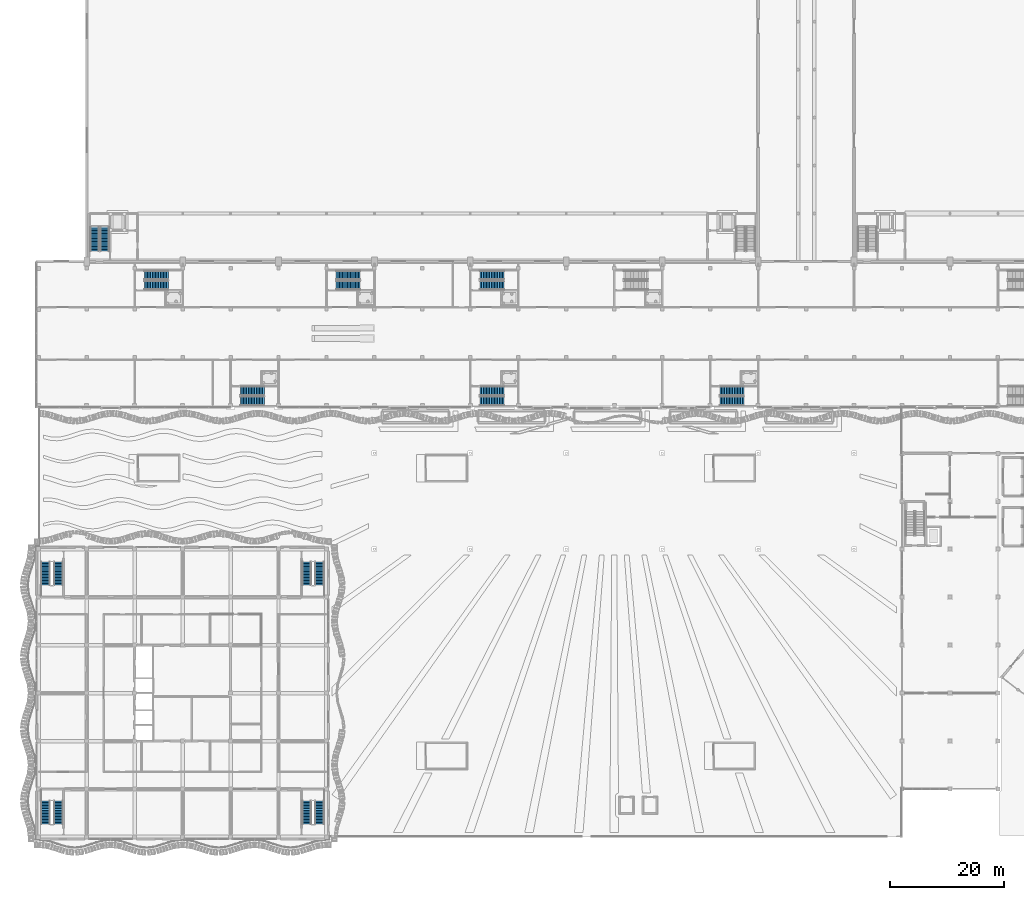
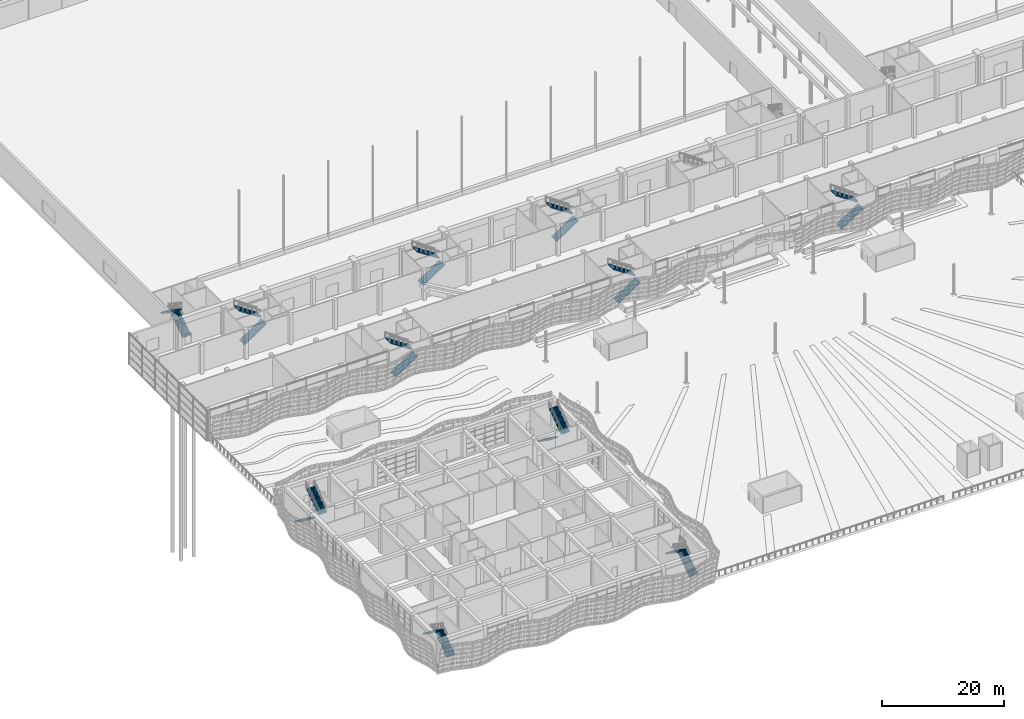
# One storey, part 129 of 210: 22 stair flights, 11 elements without a shape of their own.
"""IFC4 building model written with IfcOpenShell, lengths in metres."""

from ifc_helpers import new_model, si_unit, direction, frame, origin, place, context, subcontext, project, spatial, polyline, outline, extrude, material, type_object, element, aggregate, save


model = new_model("IFC4")

# Units and contexts
model_context = context("Model", 3, precision=1e-05, world=origin(), true_north=direction((0.0, 1.0)))
body_context = subcontext(model_context, "Body", "Model", "MODEL_VIEW")
ifc_project = project(units=[si_unit("LENGTHUNIT", "METRE"), si_unit("AREAUNIT", "SQUARE_METRE"), si_unit("VOLUMEUNIT", "CUBIC_METRE"), si_unit("PLANEANGLEUNIT", "RADIAN"), si_unit("MASSUNIT", "GRAM", prefix="KILO")], contexts=[model_context])

# Site, building, storey
site_placement = place(None, origin())
site = spatial("IfcSite", under=ifc_project, at=site_placement, CompositionType="ELEMENT")
building_placement = place(site_placement, origin())
building = spatial("IfcBuilding", under=site, at=building_placement, Name="Rain Tree Exposition and Congress Centre", CompositionType="ELEMENT")
storey_placement = place(building_placement, origin())
storey = spatial("IfcBuildingStorey", under=building, at=storey_placement, Name="L00", CompositionType="ELEMENT", Elevation=0.0)

# Stair, stair flights
ifc_material_1 = material(Name="Precast concrete C50/60", Category="concrete")
stair_type_1 = type_object("IfcStairType", Name="Concourse dogleg stair 1600", PredefinedType="HALF_TURN_STAIR", material=ifc_material_1)
stair_1_placement = place(storey_placement, origin())
stair_1 = element("IfcStair", 1, at=stair_1_placement, inside=storey, type_object=stair_type_1, Name="L00 Concourse stair", PredefinedType="HALF_TURN_STAIR")
ifc_material_2 = material(Name="Precast concrete C50/60", Category="concrete")
stair_flight_type_1 = type_object("IfcStairFlightType", Name="Concourse stair flight 1600", PredefinedType="STRAIGHT", material=ifc_material_2)
stair_flight_1_placement = place(storey_placement, frame((35.300048828125, 76.35009765625, 0.0), z_axis=(0.0, 0.0, 1.0), x_axis=(1.0, 0.0, 0.0)))
stair_flight_1 = element("IfcStairFlight", 2, at=stair_flight_1_placement, type_object=stair_flight_type_1, Name="ST-C1 flight 1", NumberOfRisers=16, NumberOfTreads=15, PredefinedType="STRAIGHT", RiserHeight=0.1875, TreadLength=0.28, context=body_context, shape_type="SweptSolid", body=[
    extrude(outline(polyline([(0.0, 0.0), (0.0, 0.1875), (0.280029296875, 0.1875), (0.280029296875, 0.375), (0.56005859375, 0.375), (0.56005859375, 0.5625), (0.840087890625, 0.5625), (0.840087890625, 0.75), (1.1201171875, 0.75), (1.1201171875, 0.9375), (1.39990234375, 0.9375), (1.39990234375, 1.125), (1.679931640625, 1.125), (1.679931640625, 1.3125), (1.9599609375, 1.3125), (1.9599609375, 1.5), (2.239990234375, 1.5), (2.239990234375, 1.6875), (2.52001953125, 1.6875), (2.52001953125, 1.875), (2.800048828125, 1.875), (2.800048828125, 2.0625), (3.080078125, 2.0625), (3.080078125, 2.25), (3.360107421875, 2.25), (3.360107421875, 2.4375), (3.639892578125, 2.4375), (3.639892578125, 2.625), (3.919921875, 2.625), (3.919921875, 2.8125), (4.199951171875, 2.8125), (4.199951171875, 3.0), (4.199951171875, 2.632080078125), (0.26953125, 0.0), (0.0, 0.0)])), frame((0.0, 0.800048828125, 0.0), z_axis=(0.0, -1.0, 0.0), x_axis=(1.0, 0.0, 0.0)), (0.0, 0.0, 1.0), 1.60009765625),
])
stair_flight_2_placement = place(storey_placement, frame((39.5, 78.10009765625, 3.0), z_axis=(0.0, 0.0, 1.0), x_axis=(-1.0, 0.0, 0.0)))
stair_flight_2 = element("IfcStairFlight", 3, at=stair_flight_2_placement, type_object=stair_flight_type_1, Name="ST-C1 flight 2", NumberOfRisers=16, NumberOfTreads=15, PredefinedType="STRAIGHT", RiserHeight=0.1875, TreadLength=0.28, context=body_context, shape_type="SweptSolid", body=[
    extrude(outline(polyline([(0.0, 0.0), (0.0, 0.1875), (0.280029296875, 0.1875), (0.280029296875, 0.375), (0.56005859375, 0.375), (0.56005859375, 0.5625), (0.840087890625, 0.5625), (0.840087890625, 0.75), (1.1201171875, 0.75), (1.1201171875, 0.9375), (1.39990234375, 0.9375), (1.39990234375, 1.125), (1.679931640625, 1.125), (1.679931640625, 1.3125), (1.9599609375, 1.3125), (1.9599609375, 1.5), (2.239990234375, 1.5), (2.239990234375, 1.6875), (2.52001953125, 1.6875), (2.52001953125, 1.875), (2.800048828125, 1.875), (2.800048828125, 2.0625), (3.080078125, 2.0625), (3.080078125, 2.25), (3.360107421875, 2.25), (3.360107421875, 2.4375), (3.639892578125, 2.4375), (3.639892578125, 2.625), (3.919921875, 2.625), (3.919921875, 2.8125), (4.199951171875, 2.8125), (4.199951171875, 3.0), (4.199951171875, 2.632080078125), (0.26953125, 0.0), (0.0, 0.0)])), frame((0.0, 0.800048828125, 0.0), z_axis=(0.0, -1.0, 0.0), x_axis=(1.0, 0.0, 0.0)), (0.0, 0.0, 1.0), 1.60009765625),
])
aggregate(stair_1, [stair_flight_1, stair_flight_2])

stair_2_placement = place(storey_placement, origin())
stair_2 = element("IfcStair", 4, at=stair_2_placement, inside=storey, type_object=stair_type_1, Name="L00 Concourse stair", PredefinedType="HALF_TURN_STAIR")
stair_flight_3_placement = place(storey_placement, frame((77.300048828125, 76.35009765625, 0.0), z_axis=(0.0, 0.0, 1.0), x_axis=(1.0, 0.0, 0.0)))
stair_flight_3 = element("IfcStairFlight", 5, at=stair_flight_3_placement, type_object=stair_flight_type_1, Name="ST-C2 flight 1", NumberOfRisers=16, NumberOfTreads=15, PredefinedType="STRAIGHT", RiserHeight=0.1875, TreadLength=0.28, context=body_context, shape_type="SweptSolid", body=[
    extrude(outline(polyline([(0.0, 0.0), (0.0, 0.1875), (0.280029296875, 0.1875), (0.280029296875, 0.375), (0.56005859375, 0.375), (0.56005859375, 0.5625), (0.840087890625, 0.5625), (0.840087890625, 0.75), (1.1201171875, 0.75), (1.1201171875, 0.9375), (1.39990234375, 0.9375), (1.39990234375, 1.125), (1.679931640625, 1.125), (1.679931640625, 1.3125), (1.9599609375, 1.3125), (1.9599609375, 1.5), (2.239990234375, 1.5), (2.239990234375, 1.6875), (2.52001953125, 1.6875), (2.52001953125, 1.875), (2.800048828125, 1.875), (2.800048828125, 2.0625), (3.080078125, 2.0625), (3.080078125, 2.25), (3.360107421875, 2.25), (3.360107421875, 2.4375), (3.639892578125, 2.4375), (3.639892578125, 2.625), (3.919921875, 2.625), (3.919921875, 2.8125), (4.199951171875, 2.8125), (4.199951171875, 3.0), (4.199951171875, 2.632080078125), (0.26953125, 0.0), (0.0, 0.0)])), frame((0.0, 0.800048828125, 0.0), z_axis=(0.0, -1.0, 0.0), x_axis=(1.0, 0.0, 0.0)), (0.0, 0.0, 1.0), 1.60009765625),
])
stair_flight_4_placement = place(storey_placement, frame((81.5, 78.10009765625, 3.0), z_axis=(0.0, 0.0, 1.0), x_axis=(-1.0, 0.0, 0.0)))
stair_flight_4 = element("IfcStairFlight", 6, at=stair_flight_4_placement, type_object=stair_flight_type_1, Name="ST-C2 flight 2", NumberOfRisers=16, NumberOfTreads=15, PredefinedType="STRAIGHT", RiserHeight=0.1875, TreadLength=0.28, context=body_context, shape_type="SweptSolid", body=[
    extrude(outline(polyline([(0.0, 0.0), (0.0, 0.1875), (0.280029296875, 0.1875), (0.280029296875, 0.375), (0.56005859375, 0.375), (0.56005859375, 0.5625), (0.840087890625, 0.5625), (0.840087890625, 0.75), (1.1201171875, 0.75), (1.1201171875, 0.9375), (1.39990234375, 0.9375), (1.39990234375, 1.125), (1.679931640625, 1.125), (1.679931640625, 1.3125), (1.9599609375, 1.3125), (1.9599609375, 1.5), (2.239990234375, 1.5), (2.239990234375, 1.6875), (2.52001953125, 1.6875), (2.52001953125, 1.875), (2.800048828125, 1.875), (2.800048828125, 2.0625), (3.080078125, 2.0625), (3.080078125, 2.25), (3.360107421875, 2.25), (3.360107421875, 2.4375), (3.639892578125, 2.4375), (3.639892578125, 2.625), (3.919921875, 2.625), (3.919921875, 2.8125), (4.199951171875, 2.8125), (4.199951171875, 3.0), (4.199951171875, 2.632080078125), (0.26953125, 0.0), (0.0, 0.0)])), frame((0.0, 0.800048828125, 0.0), z_axis=(0.0, -1.0, 0.0), x_axis=(1.0, 0.0, 0.0)), (0.0, 0.0, 1.0), 1.60009765625),
])
aggregate(stair_2, [stair_flight_3, stair_flight_4])

stair_3_placement = place(storey_placement, origin())
stair_3 = element("IfcStair", 7, at=stair_3_placement, inside=storey, type_object=stair_type_1, Name="L00 Concourse stair", PredefinedType="HALF_TURN_STAIR")
stair_flight_5_placement = place(storey_placement, frame((119.300048828125, 76.35009765625, 0.0), z_axis=(0.0, 0.0, 1.0), x_axis=(1.0, 0.0, 0.0)))
stair_flight_5 = element("IfcStairFlight", 8, at=stair_flight_5_placement, type_object=stair_flight_type_1, Name="ST-C3 flight 1", NumberOfRisers=16, NumberOfTreads=15, PredefinedType="STRAIGHT", RiserHeight=0.1875, TreadLength=0.28, context=body_context, shape_type="SweptSolid", body=[
    extrude(outline(polyline([(0.0, 0.0), (0.0, 0.1875), (0.280029296875, 0.1875), (0.280029296875, 0.375), (0.56005859375, 0.375), (0.56005859375, 0.5625), (0.840087890625, 0.5625), (0.840087890625, 0.75), (1.1201171875, 0.75), (1.1201171875, 0.9375), (1.39990234375, 0.9375), (1.39990234375, 1.125), (1.679931640625, 1.125), (1.679931640625, 1.3125), (1.9599609375, 1.3125), (1.9599609375, 1.5), (2.239990234375, 1.5), (2.239990234375, 1.6875), (2.52001953125, 1.6875), (2.52001953125, 1.875), (2.800048828125, 1.875), (2.800048828125, 2.0625), (3.080078125, 2.0625), (3.080078125, 2.25), (3.360107421875, 2.25), (3.360107421875, 2.4375), (3.639892578125, 2.4375), (3.639892578125, 2.625), (3.919921875, 2.625), (3.919921875, 2.8125), (4.199951171875, 2.8125), (4.199951171875, 3.0), (4.199951171875, 2.632080078125), (0.26953125, 0.0), (0.0, 0.0)])), frame((0.0, 0.800048828125, 0.0), z_axis=(0.0, -1.0, 0.0), x_axis=(1.0, 0.0, 0.0)), (0.0, 0.0, 1.0), 1.60009765625),
])
stair_flight_6_placement = place(storey_placement, frame((123.5, 78.10009765625, 3.0), z_axis=(0.0, 0.0, 1.0), x_axis=(-1.0, 0.0, 0.0)))
stair_flight_6 = element("IfcStairFlight", 9, at=stair_flight_6_placement, type_object=stair_flight_type_1, Name="ST-C3 flight 2", NumberOfRisers=16, NumberOfTreads=15, PredefinedType="STRAIGHT", RiserHeight=0.1875, TreadLength=0.28, context=body_context, shape_type="SweptSolid", body=[
    extrude(outline(polyline([(0.0, 0.0), (0.0, 0.1875), (0.280029296875, 0.1875), (0.280029296875, 0.375), (0.56005859375, 0.375), (0.56005859375, 0.5625), (0.840087890625, 0.5625), (0.840087890625, 0.75), (1.1201171875, 0.75), (1.1201171875, 0.9375), (1.39990234375, 0.9375), (1.39990234375, 1.125), (1.679931640625, 1.125), (1.679931640625, 1.3125), (1.9599609375, 1.3125), (1.9599609375, 1.5), (2.239990234375, 1.5), (2.239990234375, 1.6875), (2.52001953125, 1.6875), (2.52001953125, 1.875), (2.800048828125, 1.875), (2.800048828125, 2.0625), (3.080078125, 2.0625), (3.080078125, 2.25), (3.360107421875, 2.25), (3.360107421875, 2.4375), (3.639892578125, 2.4375), (3.639892578125, 2.625), (3.919921875, 2.625), (3.919921875, 2.8125), (4.199951171875, 2.8125), (4.199951171875, 3.0), (4.199951171875, 2.632080078125), (0.26953125, 0.0), (0.0, 0.0)])), frame((0.0, 0.800048828125, 0.0), z_axis=(0.0, -1.0, 0.0), x_axis=(1.0, 0.0, 0.0)), (0.0, 0.0, 1.0), 1.60009765625),
])
aggregate(stair_3, [stair_flight_5, stair_flight_6])

stair_4_placement = place(storey_placement, origin())
stair_4 = element("IfcStair", 10, at=stair_4_placement, inside=storey, type_object=stair_type_1, Name="L00 Concourse stair", PredefinedType="HALF_TURN_STAIR")
stair_flight_7_placement = place(storey_placement, frame((18.5, 96.64990234375, 0.0), z_axis=(0.0, 0.0, 1.0), x_axis=(1.0, 0.0, 0.0)))
stair_flight_7 = element("IfcStairFlight", 11, at=stair_flight_7_placement, type_object=stair_flight_type_1, Name="ST-C7 flight 1", NumberOfRisers=16, NumberOfTreads=15, PredefinedType="STRAIGHT", RiserHeight=0.1875, TreadLength=0.28, context=body_context, shape_type="SweptSolid", body=[
    extrude(outline(polyline([(0.0, 0.0), (0.0, 0.1875), (0.280029296875, 0.1875), (0.280029296875, 0.375), (0.56005859375, 0.375), (0.56005859375, 0.5625), (0.840087890625, 0.5625), (0.840087890625, 0.75), (1.1201171875, 0.75), (1.1201171875, 0.9375), (1.39990234375, 0.9375), (1.39990234375, 1.125), (1.679931640625, 1.125), (1.679931640625, 1.3125), (1.9599609375, 1.3125), (1.9599609375, 1.5), (2.239990234375, 1.5), (2.239990234375, 1.6875), (2.52001953125, 1.6875), (2.52001953125, 1.875), (2.800048828125, 1.875), (2.800048828125, 2.0625), (3.080078125, 2.0625), (3.080078125, 2.25), (3.360107421875, 2.25), (3.360107421875, 2.4375), (3.639892578125, 2.4375), (3.639892578125, 2.625), (3.919921875, 2.625), (3.919921875, 2.8125), (4.199951171875, 2.8125), (4.199951171875, 3.0), (4.199951171875, 2.632080078125), (0.26953125, 0.0), (0.0, 0.0)])), frame((0.0, 0.800048828125, 0.0), z_axis=(0.0, -1.0, 0.0), x_axis=(1.0, 0.0, 0.0)), (0.0, 0.0, 1.0), 1.60009765625),
])
stair_flight_8_placement = place(storey_placement, frame((22.699951171875, 98.39990234375, 3.0), z_axis=(0.0, 0.0, 1.0), x_axis=(-1.0, 0.0, 0.0)))
stair_flight_8 = element("IfcStairFlight", 12, at=stair_flight_8_placement, type_object=stair_flight_type_1, Name="ST-C7 flight 2", NumberOfRisers=16, NumberOfTreads=15, PredefinedType="STRAIGHT", RiserHeight=0.1875, TreadLength=0.28, context=body_context, shape_type="SweptSolid", body=[
    extrude(outline(polyline([(0.0, 0.0), (0.0, 0.1875), (0.280029296875, 0.1875), (0.280029296875, 0.375), (0.56005859375, 0.375), (0.56005859375, 0.5625), (0.840087890625, 0.5625), (0.840087890625, 0.75), (1.1201171875, 0.75), (1.1201171875, 0.9375), (1.39990234375, 0.9375), (1.39990234375, 1.125), (1.679931640625, 1.125), (1.679931640625, 1.3125), (1.9599609375, 1.3125), (1.9599609375, 1.5), (2.239990234375, 1.5), (2.239990234375, 1.6875), (2.52001953125, 1.6875), (2.52001953125, 1.875), (2.800048828125, 1.875), (2.800048828125, 2.0625), (3.080078125, 2.0625), (3.080078125, 2.25), (3.360107421875, 2.25), (3.360107421875, 2.4375), (3.639892578125, 2.4375), (3.639892578125, 2.625), (3.919921875, 2.625), (3.919921875, 2.8125), (4.199951171875, 2.8125), (4.199951171875, 3.0), (4.199951171875, 2.632080078125), (0.26953125, 0.0), (0.0, 0.0)])), frame((0.0, 0.800048828125, 0.0), z_axis=(0.0, -1.0, 0.0), x_axis=(1.0, 0.0, 0.0)), (0.0, 0.0, 1.0), 1.60009765625),
])
aggregate(stair_4, [stair_flight_7, stair_flight_8])

stair_5_placement = place(storey_placement, origin())
stair_5 = element("IfcStair", 13, at=stair_5_placement, inside=storey, type_object=stair_type_1, Name="L00 Concourse stair", PredefinedType="HALF_TURN_STAIR")
stair_flight_9_placement = place(storey_placement, frame((52.10009765625, 96.64990234375, 0.0), z_axis=(0.0, 0.0, 1.0), x_axis=(1.0, 0.0, 0.0)))
stair_flight_9 = element("IfcStairFlight", 14, at=stair_flight_9_placement, type_object=stair_flight_type_1, Name="ST-C8 flight 1", NumberOfRisers=16, NumberOfTreads=15, PredefinedType="STRAIGHT", RiserHeight=0.1875, TreadLength=0.28, context=body_context, shape_type="SweptSolid", body=[
    extrude(outline(polyline([(0.0, 0.0), (0.0, 0.1875), (0.280029296875, 0.1875), (0.280029296875, 0.375), (0.56005859375, 0.375), (0.56005859375, 0.5625), (0.840087890625, 0.5625), (0.840087890625, 0.75), (1.1201171875, 0.75), (1.1201171875, 0.9375), (1.39990234375, 0.9375), (1.39990234375, 1.125), (1.679931640625, 1.125), (1.679931640625, 1.3125), (1.9599609375, 1.3125), (1.9599609375, 1.5), (2.239990234375, 1.5), (2.239990234375, 1.6875), (2.52001953125, 1.6875), (2.52001953125, 1.875), (2.800048828125, 1.875), (2.800048828125, 2.0625), (3.080078125, 2.0625), (3.080078125, 2.25), (3.360107421875, 2.25), (3.360107421875, 2.4375), (3.639892578125, 2.4375), (3.639892578125, 2.625), (3.919921875, 2.625), (3.919921875, 2.8125), (4.199951171875, 2.8125), (4.199951171875, 3.0), (4.199951171875, 2.632080078125), (0.26953125, 0.0), (0.0, 0.0)])), frame((0.0, 0.800048828125, 0.0), z_axis=(0.0, -1.0, 0.0), x_axis=(1.0, 0.0, 0.0)), (0.0, 0.0, 1.0), 1.60009765625),
])
stair_flight_10_placement = place(storey_placement, frame((56.300048828125, 98.39990234375, 3.0), z_axis=(0.0, 0.0, 1.0), x_axis=(-1.0, 0.0, 0.0)))
stair_flight_10 = element("IfcStairFlight", 15, at=stair_flight_10_placement, type_object=stair_flight_type_1, Name="ST-C8 flight 2", NumberOfRisers=16, NumberOfTreads=15, PredefinedType="STRAIGHT", RiserHeight=0.1875, TreadLength=0.28, context=body_context, shape_type="SweptSolid", body=[
    extrude(outline(polyline([(0.0, 0.0), (0.0, 0.1875), (0.280029296875, 0.1875), (0.280029296875, 0.375), (0.56005859375, 0.375), (0.56005859375, 0.5625), (0.840087890625, 0.5625), (0.840087890625, 0.75), (1.1201171875, 0.75), (1.1201171875, 0.9375), (1.39990234375, 0.9375), (1.39990234375, 1.125), (1.679931640625, 1.125), (1.679931640625, 1.3125), (1.9599609375, 1.3125), (1.9599609375, 1.5), (2.239990234375, 1.5), (2.239990234375, 1.6875), (2.52001953125, 1.6875), (2.52001953125, 1.875), (2.800048828125, 1.875), (2.800048828125, 2.0625), (3.080078125, 2.0625), (3.080078125, 2.25), (3.360107421875, 2.25), (3.360107421875, 2.4375), (3.639892578125, 2.4375), (3.639892578125, 2.625), (3.919921875, 2.625), (3.919921875, 2.8125), (4.199951171875, 2.8125), (4.199951171875, 3.0), (4.199951171875, 2.632080078125), (0.26953125, 0.0), (0.0, 0.0)])), frame((0.0, 0.800048828125, 0.0), z_axis=(0.0, -1.0, 0.0), x_axis=(1.0, 0.0, 0.0)), (0.0, 0.0, 1.0), 1.60009765625),
])
aggregate(stair_5, [stair_flight_9, stair_flight_10])

stair_6_placement = place(storey_placement, origin())
stair_6 = element("IfcStair", 16, at=stair_6_placement, inside=storey, type_object=stair_type_1, Name="L00 Concourse stair", PredefinedType="HALF_TURN_STAIR")
stair_flight_11_placement = place(storey_placement, frame((77.300048828125, 96.64990234375, 0.0), z_axis=(0.0, 0.0, 1.0), x_axis=(1.0, 0.0, 0.0)))
stair_flight_11 = element("IfcStairFlight", 17, at=stair_flight_11_placement, type_object=stair_flight_type_1, Name="ST-C9 flight 1", NumberOfRisers=16, NumberOfTreads=15, PredefinedType="STRAIGHT", RiserHeight=0.1875, TreadLength=0.28, context=body_context, shape_type="SweptSolid", body=[
    extrude(outline(polyline([(0.0, 0.0), (0.0, 0.1875), (0.280029296875, 0.1875), (0.280029296875, 0.375), (0.56005859375, 0.375), (0.56005859375, 0.5625), (0.840087890625, 0.5625), (0.840087890625, 0.75), (1.1201171875, 0.75), (1.1201171875, 0.9375), (1.39990234375, 0.9375), (1.39990234375, 1.125), (1.679931640625, 1.125), (1.679931640625, 1.3125), (1.9599609375, 1.3125), (1.9599609375, 1.5), (2.239990234375, 1.5), (2.239990234375, 1.6875), (2.52001953125, 1.6875), (2.52001953125, 1.875), (2.800048828125, 1.875), (2.800048828125, 2.0625), (3.080078125, 2.0625), (3.080078125, 2.25), (3.360107421875, 2.25), (3.360107421875, 2.4375), (3.639892578125, 2.4375), (3.639892578125, 2.625), (3.919921875, 2.625), (3.919921875, 2.8125), (4.199951171875, 2.8125), (4.199951171875, 3.0), (4.199951171875, 2.632080078125), (0.26953125, 0.0), (0.0, 0.0)])), frame((0.0, 0.800048828125, 0.0), z_axis=(0.0, -1.0, 0.0), x_axis=(1.0, 0.0, 0.0)), (0.0, 0.0, 1.0), 1.60009765625),
])
stair_flight_12_placement = place(storey_placement, frame((81.5, 98.39990234375, 3.0), z_axis=(0.0, 0.0, 1.0), x_axis=(-1.0, 0.0, 0.0)))
stair_flight_12 = element("IfcStairFlight", 18, at=stair_flight_12_placement, type_object=stair_flight_type_1, Name="ST-C9 flight 2", NumberOfRisers=16, NumberOfTreads=15, PredefinedType="STRAIGHT", RiserHeight=0.1875, TreadLength=0.28, context=body_context, shape_type="SweptSolid", body=[
    extrude(outline(polyline([(0.0, 0.0), (0.0, 0.1875), (0.280029296875, 0.1875), (0.280029296875, 0.375), (0.56005859375, 0.375), (0.56005859375, 0.5625), (0.840087890625, 0.5625), (0.840087890625, 0.75), (1.1201171875, 0.75), (1.1201171875, 0.9375), (1.39990234375, 0.9375), (1.39990234375, 1.125), (1.679931640625, 1.125), (1.679931640625, 1.3125), (1.9599609375, 1.3125), (1.9599609375, 1.5), (2.239990234375, 1.5), (2.239990234375, 1.6875), (2.52001953125, 1.6875), (2.52001953125, 1.875), (2.800048828125, 1.875), (2.800048828125, 2.0625), (3.080078125, 2.0625), (3.080078125, 2.25), (3.360107421875, 2.25), (3.360107421875, 2.4375), (3.639892578125, 2.4375), (3.639892578125, 2.625), (3.919921875, 2.625), (3.919921875, 2.8125), (4.199951171875, 2.8125), (4.199951171875, 3.0), (4.199951171875, 2.632080078125), (0.26953125, 0.0), (0.0, 0.0)])), frame((0.0, 0.800048828125, 0.0), z_axis=(0.0, -1.0, 0.0), x_axis=(1.0, 0.0, 0.0)), (0.0, 0.0, 1.0), 1.60009765625),
])
aggregate(stair_6, [stair_flight_11, stair_flight_12])

ifc_material_3 = material(Name="Concrete C40/50", Category="concrete")
stair_type_2 = type_object("IfcStairType", Name="Half-turn stair 1600", PredefinedType="HALF_TURN_STAIR", material=ifc_material_3)
stair_7_placement = place(storey_placement, origin())
stair_7 = element("IfcStair", 19, at=stair_7_placement, inside=storey, type_object=stair_type_2, Name="L00 Stair H1", PredefinedType="HALF_TURN_STAIR")
ifc_material_4 = material(Name="Concrete C40/50", Category="concrete")
stair_flight_type_2 = type_object("IfcStairFlightType", Name="Stair flight 1600", PredefinedType="STRAIGHT", material=ifc_material_4)
stair_flight_13_placement = place(storey_placement, frame((11.574951171875, 102.60009765625, 0.0), z_axis=(0.0, 0.0, 1.0), x_axis=(0.0, 1.0, 0.0)))
stair_flight_13 = element("IfcStairFlight", 20, at=stair_flight_13_placement, type_object=stair_flight_type_2, Name="ST-H1 flight 1", NumberOfRisers=16, NumberOfTreads=15, PredefinedType="STRAIGHT", RiserHeight=0.1875, TreadLength=0.28, context=body_context, shape_type="SweptSolid", body=[
    extrude(outline(polyline([(0.0, 0.0), (0.0, 0.1875), (0.280029296875, 0.1875), (0.280029296875, 0.375), (0.56005859375, 0.375), (0.56005859375, 0.5625), (0.840087890625, 0.5625), (0.840087890625, 0.75), (1.1201171875, 0.75), (1.1201171875, 0.9375), (1.39990234375, 0.9375), (1.39990234375, 1.125), (1.679931640625, 1.125), (1.679931640625, 1.3125), (1.9599609375, 1.3125), (1.9599609375, 1.5), (2.239990234375, 1.5), (2.239990234375, 1.6875), (2.52001953125, 1.6875), (2.52001953125, 1.875), (2.800048828125, 1.875), (2.800048828125, 2.0625), (3.080078125, 2.0625), (3.080078125, 2.25), (3.360107421875, 2.25), (3.360107421875, 2.4375), (3.639892578125, 2.4375), (3.639892578125, 2.625), (3.919921875, 2.625), (3.919921875, 2.8125), (4.199951171875, 2.8125), (4.199951171875, 3.0), (4.199951171875, 2.632080078125), (0.26953125, 0.0), (0.0, 0.0)])), frame((0.0, 0.800048828125, 0.0), z_axis=(0.0, -1.0, 0.0), x_axis=(1.0, 0.0, 0.0)), (0.0, 0.0, 1.0), 1.60009765625),
])
stair_flight_14_placement = place(storey_placement, frame((9.824951171875, 106.800048828125, 3.0), z_axis=(0.0, 0.0, 1.0), x_axis=(0.0, -1.0, 0.0)))
stair_flight_14 = element("IfcStairFlight", 21, at=stair_flight_14_placement, type_object=stair_flight_type_2, Name="ST-H1 flight 2", NumberOfRisers=16, NumberOfTreads=15, PredefinedType="STRAIGHT", RiserHeight=0.1875, TreadLength=0.28, context=body_context, shape_type="SweptSolid", body=[
    extrude(outline(polyline([(0.0, 0.0), (0.0, 0.1875), (0.280029296875, 0.1875), (0.280029296875, 0.375), (0.56005859375, 0.375), (0.56005859375, 0.5625), (0.840087890625, 0.5625), (0.840087890625, 0.75), (1.1201171875, 0.75), (1.1201171875, 0.9375), (1.39990234375, 0.9375), (1.39990234375, 1.125), (1.679931640625, 1.125), (1.679931640625, 1.3125), (1.9599609375, 1.3125), (1.9599609375, 1.5), (2.239990234375, 1.5), (2.239990234375, 1.6875), (2.52001953125, 1.6875), (2.52001953125, 1.875), (2.800048828125, 1.875), (2.800048828125, 2.0625), (3.080078125, 2.0625), (3.080078125, 2.25), (3.360107421875, 2.25), (3.360107421875, 2.4375), (3.639892578125, 2.4375), (3.639892578125, 2.625), (3.919921875, 2.625), (3.919921875, 2.8125), (4.199951171875, 2.8125), (4.199951171875, 3.0), (4.199951171875, 2.632080078125), (0.26953125, 0.0), (0.0, 0.0)])), frame((0.0, 0.800048828125, 0.0), z_axis=(0.0, -1.0, 0.0), x_axis=(1.0, 0.0, 0.0)), (0.0, 0.0, 1.0), 1.60009765625),
])
aggregate(stair_7, [stair_flight_13, stair_flight_14])

ifc_material_5 = material(Name="Precast concrete C50/60", Category="concrete")
stair_type_3 = type_object("IfcStairType", Name="Wing dog-leg stair 1600", PredefinedType="HALF_TURN_STAIR", material=ifc_material_5)
stair_8_placement = place(storey_placement, origin())
stair_8 = element("IfcStair", 22, at=stair_8_placement, inside=storey, type_object=stair_type_3, Name="L00 ST-W1", PredefinedType="HALF_TURN_STAIR")
ifc_material_6 = material(Name="Precast concrete C50/60", Category="concrete")
stair_flight_type_3 = type_object("IfcStairFlightType", Name="Wing stair flight 1600", PredefinedType="STRAIGHT", material=ifc_material_6)
stair_flight_15_placement = place(storey_placement, frame((3.449951171875, 2.25, 0.0), z_axis=(0.0, 0.0, 1.0), x_axis=(0.0, 1.0, 0.0)))
stair_flight_15 = element("IfcStairFlight", 23, at=stair_flight_15_placement, type_object=stair_flight_type_3, Name="ST-W1 flight 1", NumberOfRisers=16, NumberOfTreads=15, PredefinedType="STRAIGHT", RiserHeight=0.1875, TreadLength=0.27, context=body_context, shape_type="SweptSolid", body=[
    extrude(outline(polyline([(0.0, 0.0), (0.0, 0.1875), (0.27001953125, 0.1875), (0.27001953125, 0.375), (0.5400390625, 0.375), (0.5400390625, 0.5625), (0.81005859375, 0.5625), (0.81005859375, 0.75), (1.080078125, 0.75), (1.080078125, 0.9375), (1.35009765625, 0.9375), (1.35009765625, 1.125), (1.6201171875, 1.125), (1.6201171875, 1.3125), (1.889892578125, 1.3125), (1.889892578125, 1.5), (2.159912109375, 1.5), (2.159912109375, 1.6875), (2.429931640625, 1.6875), (2.429931640625, 1.875), (2.699951171875, 1.875), (2.699951171875, 2.0625), (2.969970703125, 2.0625), (2.969970703125, 2.25), (3.239990234375, 2.25), (3.239990234375, 2.4375), (3.510009765625, 2.4375), (3.510009765625, 2.625), (3.780029296875, 2.625), (3.780029296875, 2.8125), (4.050048828125, 2.8125), (4.050048828125, 3.0), (4.050048828125, 2.6298828125), (0.2626953125, 0.0), (0.0, 0.0)])), frame((0.0, 0.800048828125, 0.0), z_axis=(0.0, -1.0, 0.0), x_axis=(1.0, 0.0, 0.0)), (0.0, 0.0, 1.0), 1.60009765625),
])
stair_flight_16_placement = place(storey_placement, frame((1.199951171875, 6.300048828125, 3.0), z_axis=(0.0, 0.0, 1.0), x_axis=(0.0, -1.0, 0.0)))
stair_flight_16 = element("IfcStairFlight", 24, at=stair_flight_16_placement, type_object=stair_flight_type_3, Name="ST-W1 flight 2", NumberOfRisers=16, NumberOfTreads=15, PredefinedType="STRAIGHT", RiserHeight=0.1875, TreadLength=0.27, context=body_context, shape_type="SweptSolid", body=[
    extrude(outline(polyline([(0.0, 0.0), (0.0, 0.1875), (0.27001953125, 0.1875), (0.27001953125, 0.375), (0.5400390625, 0.375), (0.5400390625, 0.5625), (0.81005859375, 0.5625), (0.81005859375, 0.75), (1.080078125, 0.75), (1.080078125, 0.9375), (1.35009765625, 0.9375), (1.35009765625, 1.125), (1.6201171875, 1.125), (1.6201171875, 1.3125), (1.889892578125, 1.3125), (1.889892578125, 1.5), (2.159912109375, 1.5), (2.159912109375, 1.6875), (2.429931640625, 1.6875), (2.429931640625, 1.875), (2.699951171875, 1.875), (2.699951171875, 2.0625), (2.969970703125, 2.0625), (2.969970703125, 2.25), (3.239990234375, 2.25), (3.239990234375, 2.4375), (3.510009765625, 2.4375), (3.510009765625, 2.625), (3.780029296875, 2.625), (3.780029296875, 2.8125), (4.050048828125, 2.8125), (4.050048828125, 3.0), (4.050048828125, 2.6298828125), (0.2626953125, 0.0), (0.0, 0.0)])), frame((0.0, 0.800048828125, 0.0), z_axis=(0.0, -1.0, 0.0), x_axis=(1.0, 0.0, 0.0)), (0.0, 0.0, 1.0), 1.60009765625),
])
aggregate(stair_8, [stair_flight_15, stair_flight_16])

stair_9_placement = place(storey_placement, origin())
stair_9 = element("IfcStair", 25, at=stair_9_placement, inside=storey, type_object=stair_type_3, Name="L00 ST-W2", PredefinedType="HALF_TURN_STAIR")
stair_flight_17_placement = place(storey_placement, frame((49.199951171875, 2.25, 0.0), z_axis=(0.0, 0.0, 1.0), x_axis=(0.0, 1.0, 0.0)))
stair_flight_17 = element("IfcStairFlight", 26, at=stair_flight_17_placement, type_object=stair_flight_type_3, Name="ST-W2 flight 1", NumberOfRisers=16, NumberOfTreads=15, PredefinedType="STRAIGHT", RiserHeight=0.1875, TreadLength=0.27, context=body_context, shape_type="SweptSolid", body=[
    extrude(outline(polyline([(0.0, 0.0), (0.0, 0.1875), (0.27001953125, 0.1875), (0.27001953125, 0.375), (0.5400390625, 0.375), (0.5400390625, 0.5625), (0.81005859375, 0.5625), (0.81005859375, 0.75), (1.080078125, 0.75), (1.080078125, 0.9375), (1.35009765625, 0.9375), (1.35009765625, 1.125), (1.6201171875, 1.125), (1.6201171875, 1.3125), (1.889892578125, 1.3125), (1.889892578125, 1.5), (2.159912109375, 1.5), (2.159912109375, 1.6875), (2.429931640625, 1.6875), (2.429931640625, 1.875), (2.699951171875, 1.875), (2.699951171875, 2.0625), (2.969970703125, 2.0625), (2.969970703125, 2.25), (3.239990234375, 2.25), (3.239990234375, 2.4375), (3.510009765625, 2.4375), (3.510009765625, 2.625), (3.780029296875, 2.625), (3.780029296875, 2.8125), (4.050048828125, 2.8125), (4.050048828125, 3.0), (4.050048828125, 2.6298828125), (0.2626953125, 0.0), (0.0, 0.0)])), frame((0.0, 0.800048828125, 0.0), z_axis=(0.0, -1.0, 0.0), x_axis=(1.0, 0.0, 0.0)), (0.0, 0.0, 1.0), 1.60009765625),
])
stair_flight_18_placement = place(storey_placement, frame((46.949951171875, 6.300048828125, 3.0), z_axis=(0.0, 0.0, 1.0), x_axis=(0.0, -1.0, 0.0)))
stair_flight_18 = element("IfcStairFlight", 27, at=stair_flight_18_placement, type_object=stair_flight_type_3, Name="ST-W2 flight 2", NumberOfRisers=16, NumberOfTreads=15, PredefinedType="STRAIGHT", RiserHeight=0.1875, TreadLength=0.27, context=body_context, shape_type="SweptSolid", body=[
    extrude(outline(polyline([(0.0, 0.0), (0.0, 0.1875), (0.27001953125, 0.1875), (0.27001953125, 0.375), (0.5400390625, 0.375), (0.5400390625, 0.5625), (0.81005859375, 0.5625), (0.81005859375, 0.75), (1.080078125, 0.75), (1.080078125, 0.9375), (1.35009765625, 0.9375), (1.35009765625, 1.125), (1.6201171875, 1.125), (1.6201171875, 1.3125), (1.889892578125, 1.3125), (1.889892578125, 1.5), (2.159912109375, 1.5), (2.159912109375, 1.6875), (2.429931640625, 1.6875), (2.429931640625, 1.875), (2.699951171875, 1.875), (2.699951171875, 2.0625), (2.969970703125, 2.0625), (2.969970703125, 2.25), (3.239990234375, 2.25), (3.239990234375, 2.4375), (3.510009765625, 2.4375), (3.510009765625, 2.625), (3.780029296875, 2.625), (3.780029296875, 2.8125), (4.050048828125, 2.8125), (4.050048828125, 3.0), (4.050048828125, 2.6298828125), (0.2626953125, 0.0), (0.0, 0.0)])), frame((0.0, 0.800048828125, 0.0), z_axis=(0.0, -1.0, 0.0), x_axis=(1.0, 0.0, 0.0)), (0.0, 0.0, 1.0), 1.60009765625),
])
aggregate(stair_9, [stair_flight_17, stair_flight_18])

stair_10_placement = place(storey_placement, origin())
stair_10 = element("IfcStair", 28, at=stair_10_placement, inside=storey, type_object=stair_type_3, Name="L00 ST-W3", PredefinedType="HALF_TURN_STAIR")
stair_flight_19_placement = place(storey_placement, frame((1.199951171875, 48.14990234375, 0.0), z_axis=(0.0, 0.0, 1.0), x_axis=(0.0, -1.0, 0.0)))
stair_flight_19 = element("IfcStairFlight", 29, at=stair_flight_19_placement, type_object=stair_flight_type_3, Name="ST-W3 flight 1", NumberOfRisers=16, NumberOfTreads=15, PredefinedType="STRAIGHT", RiserHeight=0.1875, TreadLength=0.27, context=body_context, shape_type="SweptSolid", body=[
    extrude(outline(polyline([(0.0, 0.0), (0.0, 0.1875), (0.27001953125, 0.1875), (0.27001953125, 0.375), (0.5400390625, 0.375), (0.5400390625, 0.5625), (0.81005859375, 0.5625), (0.81005859375, 0.75), (1.080078125, 0.75), (1.080078125, 0.9375), (1.35009765625, 0.9375), (1.35009765625, 1.125), (1.6201171875, 1.125), (1.6201171875, 1.3125), (1.889892578125, 1.3125), (1.889892578125, 1.5), (2.159912109375, 1.5), (2.159912109375, 1.6875), (2.429931640625, 1.6875), (2.429931640625, 1.875), (2.699951171875, 1.875), (2.699951171875, 2.0625), (2.969970703125, 2.0625), (2.969970703125, 2.25), (3.239990234375, 2.25), (3.239990234375, 2.4375), (3.510009765625, 2.4375), (3.510009765625, 2.625), (3.780029296875, 2.625), (3.780029296875, 2.8125), (4.050048828125, 2.8125), (4.050048828125, 3.0), (4.050048828125, 2.6298828125), (0.2626953125, 0.0), (0.0, 0.0)])), frame((0.0, 0.800048828125, 0.0), z_axis=(0.0, -1.0, 0.0), x_axis=(1.0, 0.0, 0.0)), (0.0, 0.0, 1.0), 1.60009765625),
])
stair_flight_20_placement = place(storey_placement, frame((3.449951171875, 44.10009765625, 3.0), z_axis=(0.0, 0.0, 1.0), x_axis=(0.0, 1.0, 0.0)))
stair_flight_20 = element("IfcStairFlight", 30, at=stair_flight_20_placement, type_object=stair_flight_type_3, Name="ST-W3 flight 2", NumberOfRisers=16, NumberOfTreads=15, PredefinedType="STRAIGHT", RiserHeight=0.1875, TreadLength=0.27, context=body_context, shape_type="SweptSolid", body=[
    extrude(outline(polyline([(0.0, 0.0), (0.0, 0.1875), (0.27001953125, 0.1875), (0.27001953125, 0.375), (0.5400390625, 0.375), (0.5400390625, 0.5625), (0.81005859375, 0.5625), (0.81005859375, 0.75), (1.080078125, 0.75), (1.080078125, 0.9375), (1.35009765625, 0.9375), (1.35009765625, 1.125), (1.6201171875, 1.125), (1.6201171875, 1.3125), (1.889892578125, 1.3125), (1.889892578125, 1.5), (2.159912109375, 1.5), (2.159912109375, 1.6875), (2.429931640625, 1.6875), (2.429931640625, 1.875), (2.699951171875, 1.875), (2.699951171875, 2.0625), (2.969970703125, 2.0625), (2.969970703125, 2.25), (3.239990234375, 2.25), (3.239990234375, 2.4375), (3.510009765625, 2.4375), (3.510009765625, 2.625), (3.780029296875, 2.625), (3.780029296875, 2.8125), (4.050048828125, 2.8125), (4.050048828125, 3.0), (4.050048828125, 2.6298828125), (0.2626953125, 0.0), (0.0, 0.0)])), frame((0.0, 0.800048828125, 0.0), z_axis=(0.0, -1.0, 0.0), x_axis=(1.0, 0.0, 0.0)), (0.0, 0.0, 1.0), 1.60009765625),
])
aggregate(stair_10, [stair_flight_19, stair_flight_20])

stair_11_placement = place(storey_placement, origin())
stair_11 = element("IfcStair", 31, at=stair_11_placement, inside=storey, type_object=stair_type_3, Name="L00 ST-W4", PredefinedType="HALF_TURN_STAIR")
stair_flight_21_placement = place(storey_placement, frame((46.949951171875, 48.14990234375, 0.0), z_axis=(0.0, 0.0, 1.0), x_axis=(0.0, -1.0, 0.0)))
stair_flight_21 = element("IfcStairFlight", 32, at=stair_flight_21_placement, type_object=stair_flight_type_3, Name="ST-W4 flight 1", NumberOfRisers=16, NumberOfTreads=15, PredefinedType="STRAIGHT", RiserHeight=0.1875, TreadLength=0.27, context=body_context, shape_type="SweptSolid", body=[
    extrude(outline(polyline([(0.0, 0.0), (0.0, 0.1875), (0.27001953125, 0.1875), (0.27001953125, 0.375), (0.5400390625, 0.375), (0.5400390625, 0.5625), (0.81005859375, 0.5625), (0.81005859375, 0.75), (1.080078125, 0.75), (1.080078125, 0.9375), (1.35009765625, 0.9375), (1.35009765625, 1.125), (1.6201171875, 1.125), (1.6201171875, 1.3125), (1.889892578125, 1.3125), (1.889892578125, 1.5), (2.159912109375, 1.5), (2.159912109375, 1.6875), (2.429931640625, 1.6875), (2.429931640625, 1.875), (2.699951171875, 1.875), (2.699951171875, 2.0625), (2.969970703125, 2.0625), (2.969970703125, 2.25), (3.239990234375, 2.25), (3.239990234375, 2.4375), (3.510009765625, 2.4375), (3.510009765625, 2.625), (3.780029296875, 2.625), (3.780029296875, 2.8125), (4.050048828125, 2.8125), (4.050048828125, 3.0), (4.050048828125, 2.6298828125), (0.2626953125, 0.0), (0.0, 0.0)])), frame((0.0, 0.800048828125, 0.0), z_axis=(0.0, -1.0, 0.0), x_axis=(1.0, 0.0, 0.0)), (0.0, 0.0, 1.0), 1.60009765625),
])
stair_flight_22_placement = place(storey_placement, frame((49.199951171875, 44.10009765625, 3.0), z_axis=(0.0, 0.0, 1.0), x_axis=(0.0, 1.0, 0.0)))
stair_flight_22 = element("IfcStairFlight", 33, at=stair_flight_22_placement, type_object=stair_flight_type_3, Name="ST-W4 flight 2", NumberOfRisers=16, NumberOfTreads=15, PredefinedType="STRAIGHT", RiserHeight=0.1875, TreadLength=0.27, context=body_context, shape_type="SweptSolid", body=[
    extrude(outline(polyline([(0.0, 0.0), (0.0, 0.1875), (0.27001953125, 0.1875), (0.27001953125, 0.375), (0.5400390625, 0.375), (0.5400390625, 0.5625), (0.81005859375, 0.5625), (0.81005859375, 0.75), (1.080078125, 0.75), (1.080078125, 0.9375), (1.35009765625, 0.9375), (1.35009765625, 1.125), (1.6201171875, 1.125), (1.6201171875, 1.3125), (1.889892578125, 1.3125), (1.889892578125, 1.5), (2.159912109375, 1.5), (2.159912109375, 1.6875), (2.429931640625, 1.6875), (2.429931640625, 1.875), (2.699951171875, 1.875), (2.699951171875, 2.0625), (2.969970703125, 2.0625), (2.969970703125, 2.25), (3.239990234375, 2.25), (3.239990234375, 2.4375), (3.510009765625, 2.4375), (3.510009765625, 2.625), (3.780029296875, 2.625), (3.780029296875, 2.8125), (4.050048828125, 2.8125), (4.050048828125, 3.0), (4.050048828125, 2.6298828125), (0.2626953125, 0.0), (0.0, 0.0)])), frame((0.0, 0.800048828125, 0.0), z_axis=(0.0, -1.0, 0.0), x_axis=(1.0, 0.0, 0.0)), (0.0, 0.0, 1.0), 1.60009765625),
])
aggregate(stair_11, [stair_flight_21, stair_flight_22])

save(model, "model.ifc")
